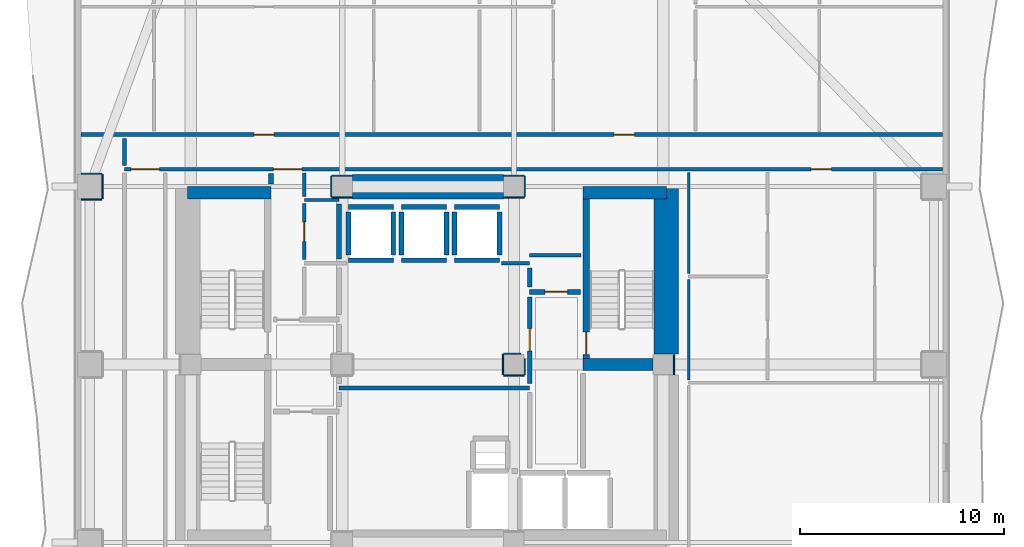
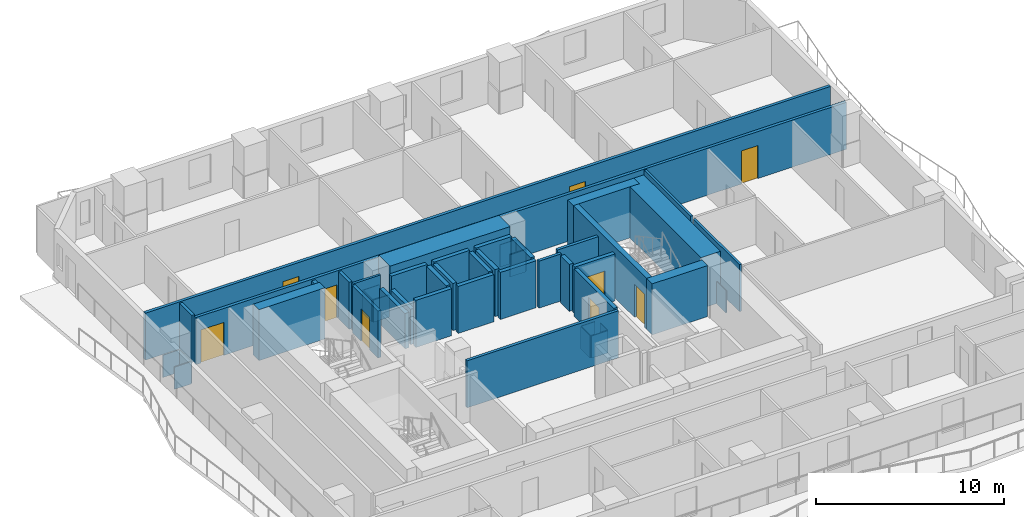
# One storey, part 4 of 11: 48 walls, 9 doors, 9 openings.
"""IFC4 building model written with IfcOpenShell, lengths in metres."""

from ifc_helpers import new_model, si_unit, direction, frame, frame_2d, origin, place, context, subcontext, project, spatial, rectangle, extrude, material, layer, layer_set, type_object, element, fill, save


model = new_model("IFC4")

# Units and contexts
model_context = context("Model", 3, precision=1e-05, world=origin(), true_north=direction((0.0, 1.0)))
body_context = subcontext(model_context, "Body", "Model", "MODEL_VIEW")
ifc_project = project(units=[si_unit("LENGTHUNIT", "METRE"), si_unit("AREAUNIT", "SQUARE_METRE"), si_unit("VOLUMEUNIT", "CUBIC_METRE"), si_unit("PLANEANGLEUNIT", "RADIAN"), si_unit("MASSUNIT", "GRAM", prefix="KILO")], contexts=[model_context])

# Site, building, storey
site_placement = place(None, origin())
site = spatial("IfcSite", under=ifc_project, at=site_placement, CompositionType="ELEMENT")
building_placement = place(site_placement, origin())
building = spatial("IfcBuilding", under=site, at=building_placement, Name="Solanera Arch Residences", CompositionType="ELEMENT")
storey_placement = place(building_placement, frame((0.0, 0.0, 71.800048828125)))
storey = spatial("IfcBuildingStorey", under=building, at=storey_placement, Name="L20", CompositionType="ELEMENT", Elevation=71.800048828125)

# Walls
ifc_material_1 = material(Name="Fire-Rated Gypsum Stud Partition", Category="gypsum")
ifc_layer_1 = layer(ifc_material_1, 0.06005859375)
ifc_layer_set_1 = layer_set([ifc_layer_1], Name="Fire-Rated Gypsum Stud Partition")
wall_type_1 = type_object("IfcWallType", Name="Column Acoustic Furring Wall 60", PredefinedType="PARTITIONING", material=ifc_layer_set_1)
for number, where, z_axis, x_axis, name in (
    (1, (20.300048828125, 38.867919921875, 0.0), (0.0, 0.0, 1.0), (1.0, 0.0, 0.0), "L20 Column Furring 3S"),
    (2, (20.300048828125, 39.931884765625, 0.0), (0.0, 0.0, 1.0), (1.0, 0.0, 0.0), "L20 Column Furring 3N"),
):
    element("IfcWall", number, at=place(storey_placement, frame(where, z_axis=z_axis, x_axis=x_axis)), inside=storey, type_object=wall_type_1, Name=name, PredefinedType="PARTITIONING", context=body_context, shape_type="SweptSolid", body=[
        extrude(rectangle(XDim=0.989990234375, YDim=0.06005859375, at=frame_2d((0.4951171875, 0.0))), origin(), (0.0, 0.0, 1.0), 1.449951171875),
    ])
wall_1_placement = place(storey_placement, frame((20.26806640625, 38.89990234375, 0.0), z_axis=(0.0, 0.0, 1.0), x_axis=(0.0, 1.0, 0.0)))
element("IfcWall", 3, at=wall_1_placement, inside=storey, type_object=wall_type_1, Name="L20 Column Furring 3W", PredefinedType="PARTITIONING", context=body_context, shape_type="SweptSolid", body=[
    extrude(rectangle(XDim=1.0, YDim=0.06005859375, at=frame_2d((0.5, 0.0))), origin(), (0.0, 0.0, 1.0), 1.449951171875),
])
for number, where, z_axis, x_axis, name in (
    (4, (28.7099609375, 38.867919921875, 0.0), (0.0, 0.0, 1.0), (1.0, 0.0, 0.0), "L20 Column Furring 4S"),
    (5, (28.7099609375, 39.931884765625, 0.0), (0.0, 0.0, 1.0), (1.0, 0.0, 0.0), "L20 Column Furring 4N"),
):
    element("IfcWall", number, at=place(storey_placement, frame(where, z_axis=z_axis, x_axis=x_axis)), inside=storey, type_object=wall_type_1, Name=name, PredefinedType="PARTITIONING", context=body_context, shape_type="SweptSolid", body=[
        extrude(rectangle(XDim=0.989990234375, YDim=0.06005859375, at=frame_2d((0.4951171875, 0.0))), origin(), (0.0, 0.0, 1.0), 1.449951171875),
    ])
wall_2_placement = place(storey_placement, frame((29.73193359375, 38.89990234375, 0.0), z_axis=(0.0, 0.0, 1.0), x_axis=(0.0, 1.0, 0.0)))
element("IfcWall", 6, at=wall_2_placement, inside=storey, type_object=wall_type_1, Name="L20 Column Furring 4E", PredefinedType="PARTITIONING", context=body_context, shape_type="SweptSolid", body=[
    extrude(rectangle(XDim=1.0, YDim=0.06005859375, at=frame_2d((0.5, 0.0))), origin(), (0.0, 0.0, 1.0), 1.449951171875),
])
wall_3_placement = place(storey_placement, frame((37.031982421875, 30.2099609375, 0.0), z_axis=(0.0, 0.0, 1.0), x_axis=(0.0, 1.0, 0.0)))
element("IfcWall", 7, at=wall_3_placement, inside=storey, type_object=wall_type_1, Name="L20 Column Furring 6E", PredefinedType="PARTITIONING", context=body_context, shape_type="SweptSolid", body=[
    extrude(rectangle(XDim=0.97998046875, YDim=0.06005859375, at=frame_2d((0.489990234375, 0.0))), origin(), (0.0, 0.0, 1.0), 1.449951171875),
])
wall_4_placement = place(storey_placement, frame((28.699951171875, 30.16796875, 0.0), z_axis=(0.0, 0.0, 1.0), x_axis=(1.0, 0.0, 0.0)))
element("IfcWall", 8, at=wall_4_placement, inside=storey, type_object=wall_type_1, Name="L20 Column Furring 8S", PredefinedType="PARTITIONING", context=body_context, shape_type="SweptSolid", body=[
    extrude(rectangle(XDim=1.0, YDim=0.06005859375, at=frame_2d((0.5, 0.0))), origin(), (0.0, 0.0, 1.0), 1.449951171875),
])
wall_5_placement = place(storey_placement, frame((28.699951171875, 31.23193359375, 0.0), z_axis=(0.0, 0.0, 1.0), x_axis=(1.0, 0.0, 0.0)))
element("IfcWall", 9, at=wall_5_placement, inside=storey, type_object=wall_type_1, Name="L20 Column Furring 8N", PredefinedType="PARTITIONING", context=body_context, shape_type="SweptSolid", body=[
    extrude(rectangle(XDim=0.841064453125, YDim=0.06005859375, at=frame_2d((0.42041015625, 0.0))), origin(), (0.0, 0.0, 1.0), 1.449951171875),
])
wall_6_placement = place(storey_placement, frame((28.66796875, 30.199951171875, 0.0), z_axis=(0.0, 0.0, 1.0), x_axis=(0.0, 1.0, 0.0)))
element("IfcWall", 10, at=wall_6_placement, inside=storey, type_object=wall_type_1, Name="L20 Column Furring 8W", PredefinedType="PARTITIONING", context=body_context, shape_type="SweptSolid", body=[
    extrude(rectangle(XDim=1.0, YDim=0.06005859375, at=frame_2d((0.5, 0.0))), origin(), (0.0, 0.0, 1.0), 1.449951171875),
])
wall_7_placement = place(storey_placement, frame((29.73193359375, 30.199951171875, 0.0), z_axis=(0.0, 0.0, 1.0), x_axis=(0.0, 1.0, 0.0)))
element("IfcWall", 11, at=wall_7_placement, inside=storey, type_object=wall_type_1, Name="L20 Column Furring 8E", PredefinedType="PARTITIONING", context=body_context, shape_type="SweptSolid", body=[
    extrude(rectangle(XDim=0.77197265625, YDim=0.06005859375, at=frame_2d((0.385986328125, 0.0))), origin(), (0.0, 0.0, 1.0), 1.449951171875),
])
for number, where, z_axis, x_axis, name in (
    (12, (8.030029296875, 38.76806640625, 0.0), (0.0, 0.0, 1.0), (1.0, 0.0, 0.0), "L20 Column Furring 21S"),
    (13, (8.030029296875, 40.031982421875, 0.0), (0.0, 0.0, 1.0), (1.0, 0.0, 0.0), "L20 Column Furring 21N"),
):
    element("IfcWall", number, at=place(storey_placement, frame(where, z_axis=z_axis, x_axis=x_axis)), inside=storey, type_object=wall_type_1, Name=name, PredefinedType="PARTITIONING", context=body_context, shape_type="SweptSolid", body=[
        extrude(rectangle(XDim=1.02001953125, YDim=0.06005859375, at=frame_2d((0.510009765625, 0.0))), origin(), (0.0, 0.0, 1.0), 1.449951171875),
    ])
wall_8_placement = place(storey_placement, frame((9.08203125, 38.800048828125, 0.0), z_axis=(0.0, 0.0, 1.0), x_axis=(0.0, 1.0, 0.0)))
element("IfcWall", 14, at=wall_8_placement, inside=storey, type_object=wall_type_1, Name="L20 Column Furring 21E", PredefinedType="PARTITIONING", context=body_context, shape_type="SweptSolid", body=[
    extrude(rectangle(XDim=1.199951171875, YDim=0.06005859375, at=frame_2d((0.60009765625, 0.0))), origin(), (0.0, 0.0, 1.0), 1.449951171875),
])
ifc_material_2 = material(Name="Concrete C55/67 (f'c = 60 MPa)", Category="concrete")
ifc_layer_2 = layer(ifc_material_2, 1.199951171875)
ifc_layer_set_2 = layer_set([ifc_layer_2], Name="Concrete C55/67 (f'c = 60 MPa)")
wall_type_2 = type_object("IfcWallType", Name="Core Shear Wall CW-1200", PredefinedType="SHEAR", material=ifc_layer_set_2)
wall_9_placement = place(storey_placement, frame((36.659912109375, 31.205078125, 0.0), z_axis=(0.0, 0.0, 1.0), x_axis=(0.0, 1.0, 0.0)))
element("IfcWall", 15, at=wall_9_placement, inside=storey, type_object=wall_type_2, Name="L20 East Core North Shear Wall", PredefinedType="SHEAR", context=body_context, shape_type="SweptSolid", body=[
    extrude(rectangle(XDim=8.19482421875, YDim=1.199951171875, at=frame_2d((4.097412109375, 0.0))), origin(), (0.0, 0.0, 1.0), 3.320068359375),
])
wall_10_placement = place(storey_placement, frame((21.304931640625, 39.39990234375, 0.0), z_axis=(0.0, 0.0, 1.0), x_axis=(1.0, 0.0, 0.0)))
element("IfcWall", 16, at=wall_10_placement, inside=storey, type_object=wall_type_2, Name="L20 Central North Core Shear Wall", PredefinedType="SHEAR", context=body_context, shape_type="SweptSolid", body=[
    extrude(rectangle(XDim=7.39013671875, YDim=1.199951171875, at=frame_2d((3.695068359375, 0.0))), origin(), (0.0, 0.0, 1.0), 3.320068359375),
])

# Wall, opening, door
ifc_material_3 = material(Name="Concrete C40/50 (f'c = 45 MPa)", Category="concrete")
ifc_layer_3 = layer(ifc_material_3, 0.320068359375)
ifc_layer_set_3 = layer_set([ifc_layer_3], Name="Concrete C40/50 (f'c = 45 MPa)")
wall_type_3 = type_object("IfcWallType", Name="Core Shear Wall CW-320", PredefinedType="SHEAR", material=ifc_layer_set_3)
wall_11_placement = place(storey_placement, frame((32.739990234375, 31.0, 0.0), z_axis=(0.0, 0.0, 1.0), x_axis=(0.0, 1.0, 0.0)))
wall_11 = element("IfcWall", 17, at=wall_11_placement, inside=storey, type_object=wall_type_3, Name="L20 Stair ST-T2 West Shear Wall", PredefinedType="SHEAR", context=body_context, shape_type="SweptSolid", body=[
    extrude(rectangle(XDim=7.800048828125, YDim=0.320068359375, at=frame_2d((3.89990234375, 0.0))), origin(), (0.0, 0.0, 1.0), 3.320068359375),
])
opening_1_placement = place(wall_11_placement, frame((0.18994140625, 0.0, 0.0)))
opening_1 = element("IfcOpeningElement", 18, at=opening_1_placement, cuts=wall_11, Name="Opening DF-01", PredefinedType="OPENING", context=body_context, shape_type="SweptSolid", body=[
    extrude(rectangle(XDim=1.10009765625, YDim=2.14990234375, at=frame_2d((0.550048828125, 1.074951171875))), frame((0.0, 0.169921875, 0.0), z_axis=(0.0, -1.0, 0.0), x_axis=(1.0, 0.0, 0.0)), (0.0, 0.0, 1.0), 0.3401),
])
ifc_material_4 = material(Name="Fire-Rated Architectural Hardwood", Category="wood")
door_type_1 = type_object("IfcDoorType", Name="Stair Exit Fire Door DF-01", OperationType="NOTDEFINED", PredefinedType="DOOR", material=ifc_material_4)
door_1_placement = place(opening_1_placement, origin())
door_1 = element("IfcDoor", 19, at=door_1_placement, inside=storey, type_object=door_type_1, Name="DR-L20-STAIR-ST-T2", OperationType="SINGLE_SWING_RIGHT", OverallHeight=2.14990234375, OverallWidth=1.10009765625, PredefinedType="DOOR", context=body_context, shape_type="SweptSolid", body=[
    extrude(rectangle(XDim=1.10009765625, YDim=2.14990234375, at=frame_2d((0.550048828125, 1.074951171875))), frame((0.0, 0.02490234375, 0.0), z_axis=(0.0, -1.0, 0.0), x_axis=(1.0, 0.0, 0.0)), (0.0, 0.0, 1.0), 0.050048828125),
])
fill(opening_1, door_1)

# Walls
ifc_material_5 = material(Name="Concrete C40/50 (f'c = 45 MPa)", Category="concrete")
ifc_layer_4 = layer(ifc_material_5, 0.60009765625)
ifc_layer_set_4 = layer_set([ifc_layer_4], Name="Concrete C40/50 (f'c = 45 MPa)")
wall_type_4 = type_object("IfcWallType", Name="Core Shear Wall CW-600", PredefinedType="SHEAR", material=ifc_layer_set_4)
wall_12_placement = place(storey_placement, frame((13.239990234375, 39.10009765625, 0.0), z_axis=(0.0, 0.0, 1.0), x_axis=(1.0, 0.0, 0.0)))
element("IfcWall", 20, at=wall_12_placement, inside=storey, type_object=wall_type_4, Name="L20 North-West Core Shear Wall", PredefinedType="SHEAR", context=body_context, shape_type="SweptSolid", body=[
    extrude(rectangle(XDim=4.080078125, YDim=0.60009765625, at=frame_2d((2.0400390625, 0.0))), origin(), (0.0, 0.0, 1.0), 3.320068359375),
])
wall_13_placement = place(storey_placement, frame((32.580078125, 39.10009765625, 0.0), z_axis=(0.0, 0.0, 1.0), x_axis=(1.0, 0.0, 0.0)))
element("IfcWall", 21, at=wall_13_placement, inside=storey, type_object=wall_type_4, Name="L20 North-East Core Shear Wall", PredefinedType="SHEAR", context=body_context, shape_type="SweptSolid", body=[
    extrude(rectangle(XDim=4.079833984375, YDim=0.60009765625, at=frame_2d((2.0400390625, 0.0))), origin(), (0.0, 0.0, 1.0), 3.320068359375),
])
wall_14_placement = place(storey_placement, frame((32.580078125, 30.699951171875, 0.0), z_axis=(0.0, 0.0, 1.0), x_axis=(1.0, 0.0, 0.0)))
element("IfcWall", 22, at=wall_14_placement, inside=storey, type_object=wall_type_4, Name="L20 East Stair Far-Landing Shear Wall", PredefinedType="SHEAR", context=body_context, shape_type="SweptSolid", body=[
    extrude(rectangle(XDim=3.4150390625, YDim=0.60009765625, at=frame_2d((1.70751953125, 0.0))), origin(), (0.0, 0.0, 1.0), 3.320068359375),
])
ifc_material_6 = material(Name="Autoclaved Aerated Concrete Blockwork", Category="masonry")
ifc_layer_5 = layer(ifc_material_6, 0.179931640625)
ifc_layer_set_5 = layer_set([ifc_layer_5], Name="Autoclaved Aerated Concrete Blockwork")
wall_type_5 = type_object("IfcWallType", Name="Corridor Fire Partition 180", PredefinedType="PARTITIONING", material=ifc_layer_set_5)
wall_15_placement = place(storey_placement, frame((20.64990234375, 29.550048828125, 0.0), z_axis=(0.0, 0.0, 1.0), x_axis=(1.0, 0.0, 0.0)))
element("IfcWall", 23, at=wall_15_placement, inside=storey, type_object=wall_type_5, Name="L20 Interior Partition H7", PredefinedType="PARTITIONING", context=body_context, shape_type="SweptSolid", body=[
    extrude(rectangle(XDim=9.3251953125, YDim=0.179931640625, at=frame_2d((4.66259765625, 0.0))), origin(), (0.0, 0.0, 1.0), 3.06005859375),
])
wall_16_placement = place(storey_placement, frame((28.593017578125, 35.64990234375, 0.0), z_axis=(0.0, 0.0, 1.0), x_axis=(1.0, 0.0, 0.0)))
element("IfcWall", 24, at=wall_16_placement, inside=storey, type_object=wall_type_5, Name="L20 Interior Partition H8 2", PredefinedType="PARTITIONING", context=body_context, shape_type="SweptSolid", body=[
    extrude(rectangle(XDim=1.382080078125, YDim=0.179931640625, at=frame_2d((0.69091796875, 0.0))), origin(), (0.0, 0.0, 1.0), 3.06005859375),
])
wall_17_placement = place(storey_placement, frame((29.97509765625, 36.050048828125, 0.0), z_axis=(0.0, 0.0, 1.0), x_axis=(1.0, 0.0, 0.0)))
element("IfcWall", 25, at=wall_17_placement, inside=storey, type_object=wall_type_5, Name="L20 Interior Partition H9", PredefinedType="PARTITIONING", context=body_context, shape_type="SweptSolid", body=[
    extrude(rectangle(XDim=2.5048828125, YDim=0.179931640625, at=frame_2d((1.25244140625, 0.0))), origin(), (0.0, 0.0, 1.0), 3.06005859375),
])

# Wall, openings, doors
wall_18_placement = place(storey_placement, frame((10.14990234375, 40.25, 0.0), z_axis=(0.0, 0.0, 1.0), x_axis=(1.0, 0.0, 0.0)))
wall_18 = element("IfcWall", 26, at=wall_18_placement, inside=storey, type_object=wall_type_5, Name="L20 Interior Partition H10", PredefinedType="PARTITIONING", context=body_context, shape_type="SweptSolid", body=[
    extrude(rectangle(XDim=40.023193359375, YDim=0.179931640625, at=frame_2d((20.01171875, 0.0))), origin(), (0.0, 0.0, 1.0), 3.06005859375),
])
opening_2_placement = place(wall_18_placement, frame((7.284912109375, 0.0, 0.0)))
opening_2 = element("IfcOpeningElement", 27, at=opening_2_placement, cuts=wall_18, Name="Opening DF-03", PredefinedType="OPENING", context=body_context, shape_type="SweptSolid", body=[
    extrude(rectangle(XDim=1.39990234375, YDim=2.14990234375, at=frame_2d((0.699951171875, 1.074951171875))), frame((0.0, 0.10009765625, 0.0), z_axis=(0.0, -1.0, 0.0), x_axis=(1.0, 0.0, 0.0)), (0.0, 0.0, 1.0), 0.1999),
])
opening_3_placement = place(wall_18_placement, frame((0.323974609375, 0.0, 0.0)))
opening_3 = element("IfcOpeningElement", 28, at=opening_3_placement, cuts=wall_18, Name="Opening DF-03", PredefinedType="OPENING", context=body_context, shape_type="SweptSolid", body=[
    extrude(rectangle(XDim=1.39990234375, YDim=2.14990234375, at=frame_2d((0.699951171875, 1.074951171875))), frame((0.0, 0.10009765625, 0.0), z_axis=(0.0, -1.0, 0.0), x_axis=(1.0, 0.0, 0.0)), (0.0, 0.0, 1.0), 0.1999),
])
opening_4_placement = place(wall_18_placement, frame((33.573974609375, 0.0, 0.0)))
opening_4 = element("IfcOpeningElement", 29, at=opening_4_placement, cuts=wall_18, Name="Opening DI-01", PredefinedType="OPENING", context=body_context, shape_type="SweptSolid", body=[
    extrude(rectangle(XDim=1.0, YDim=2.14990234375, at=frame_2d((0.5, 1.074951171875))), frame((0.0, 0.10009765625, 0.0), z_axis=(0.0, -1.0, 0.0), x_axis=(1.0, 0.0, 0.0)), (0.0, 0.0, 1.0), 0.1999),
])
ifc_material_7 = material(Name="Fire-Rated Architectural Hardwood", Category="wood")
door_type_2 = type_object("IfcDoorType", Name="Corridor Smoke Door DF-03", OperationType="NOTDEFINED", PredefinedType="DOOR", material=ifc_material_7)
door_2_placement = place(opening_2_placement, origin())
door_2 = element("IfcDoor", 30, at=door_2_placement, inside=storey, type_object=door_type_2, Name="DR-L20-IN-009", OperationType="SINGLE_SWING_LEFT", OverallHeight=2.14990234375, OverallWidth=1.39990234375, PredefinedType="DOOR", context=body_context, shape_type="SweptSolid", body=[
    extrude(rectangle(XDim=1.39990234375, YDim=2.14990234375, at=frame_2d((0.699951171875, 1.074951171875))), frame((0.0, 0.02490234375, 0.0), z_axis=(0.0, -1.0, 0.0), x_axis=(1.0, 0.0, 0.0)), (0.0, 0.0, 1.0), 0.050048828125),
])
fill(opening_2, door_2)
door_3_placement = place(opening_3_placement, origin())
door_3 = element("IfcDoor", 31, at=door_3_placement, inside=storey, type_object=door_type_2, Name="DR-L20-IN-011", OperationType="SINGLE_SWING_LEFT", OverallHeight=2.14990234375, OverallWidth=1.39990234375, PredefinedType="DOOR", context=body_context, shape_type="SweptSolid", body=[
    extrude(rectangle(XDim=1.39990234375, YDim=2.14990234375, at=frame_2d((0.699951171875, 1.074951171875))), frame((0.0, 0.02490234375, 0.0), z_axis=(0.0, -1.0, 0.0), x_axis=(1.0, 0.0, 0.0)), (0.0, 0.0, 1.0), 0.050048828125),
])
fill(opening_3, door_3)
ifc_material_8 = material(Name="Fire-Rated Architectural Hardwood", Category="wood")
door_type_3 = type_object("IfcDoorType", Name="Unit Entrance Fire Door DI-01", OperationType="NOTDEFINED", PredefinedType="DOOR", material=ifc_material_8)
door_4_placement = place(opening_4_placement, origin())
door_4 = element("IfcDoor", 32, at=door_4_placement, inside=storey, type_object=door_type_3, Name="DR-L20-IN-039", OperationType="SINGLE_SWING_LEFT", OverallHeight=2.14990234375, OverallWidth=1.0, PredefinedType="DOOR", context=body_context, shape_type="SweptSolid", body=[
    extrude(rectangle(XDim=1.0, YDim=2.14990234375, at=frame_2d((0.5, 1.074951171875))), frame((0.0, 0.02490234375, 0.0), z_axis=(0.0, -1.0, 0.0), x_axis=(1.0, 0.0, 0.0)), (0.0, 0.0, 1.0), 0.050048828125),
])
fill(opening_4, door_4)

wall_19_placement = place(storey_placement, frame((8.027099609375, 41.949951171875, 0.0), z_axis=(0.0, 0.0, 1.0), x_axis=(1.0, 0.0, 0.0)))
wall_19 = element("IfcWall", 33, at=wall_19_placement, inside=storey, type_object=wall_type_5, Name="L20 Interior Partition H11", PredefinedType="PARTITIONING", context=body_context, shape_type="SweptSolid", body=[
    extrude(rectangle(XDim=42.14599609375, YDim=0.179931640625, at=frame_2d((21.072998046875, 0.0))), origin(), (0.0, 0.0, 1.0), 3.06005859375),
])
opening_5_placement = place(wall_19_placement, frame((8.450927734375, 0.0, 0.0)))
opening_5 = element("IfcOpeningElement", 34, at=opening_5_placement, cuts=wall_19, Name="Opening DI-01", PredefinedType="OPENING", context=body_context, shape_type="SweptSolid", body=[
    extrude(rectangle(XDim=1.0, YDim=2.14990234375, at=frame_2d((0.5, 1.074951171875))), frame((0.0, 0.10009765625, 0.0), z_axis=(0.0, -1.0, 0.0), x_axis=(1.0, 0.0, 0.0)), (0.0, 0.0, 1.0), 0.1999),
])
opening_6_placement = place(wall_19_placement, frame((26.074951171875, 0.0, 0.0)))
opening_6 = element("IfcOpeningElement", 35, at=opening_6_placement, cuts=wall_19, Name="Opening DI-01", PredefinedType="OPENING", context=body_context, shape_type="SweptSolid", body=[
    extrude(rectangle(XDim=1.0, YDim=2.14990234375, at=frame_2d((0.5, 1.074951171875))), frame((0.0, 0.10009765625, 0.0), z_axis=(0.0, -1.0, 0.0), x_axis=(1.0, 0.0, 0.0)), (0.0, 0.0, 1.0), 0.1999),
])
door_5_placement = place(opening_5_placement, origin())
door_5 = element("IfcDoor", 36, at=door_5_placement, inside=storey, type_object=door_type_3, Name="DR-L20-IN-025", OperationType="SINGLE_SWING_LEFT", OverallHeight=2.14990234375, OverallWidth=1.0, PredefinedType="DOOR", context=body_context, shape_type="SweptSolid", body=[
    extrude(rectangle(XDim=1.0, YDim=2.14990234375, at=frame_2d((0.5, 1.074951171875))), frame((0.0, 0.02490234375, 0.0), z_axis=(0.0, -1.0, 0.0), x_axis=(1.0, 0.0, 0.0)), (0.0, 0.0, 1.0), 0.050048828125),
])
fill(opening_5, door_5)
door_6_placement = place(opening_6_placement, origin())
door_6 = element("IfcDoor", 37, at=door_6_placement, inside=storey, type_object=door_type_3, Name="DR-L20-IN-031", OperationType="SINGLE_SWING_LEFT", OverallHeight=2.14990234375, OverallWidth=1.0, PredefinedType="DOOR", context=body_context, shape_type="SweptSolid", body=[
    extrude(rectangle(XDim=1.0, YDim=2.14990234375, at=frame_2d((0.5, 1.074951171875))), frame((0.0, 0.02490234375, 0.0), z_axis=(0.0, -1.0, 0.0), x_axis=(1.0, 0.0, 0.0)), (0.0, 0.0, 1.0), 0.050048828125),
])
fill(opening_6, door_6)

# Wall
wall_20_placement = place(storey_placement, frame((10.14990234375, 40.43798828125, 0.0), z_axis=(0.0, 0.0, 1.0), x_axis=(0.0, 1.0, 0.0)))
element("IfcWall", 38, at=wall_20_placement, inside=storey, type_object=wall_type_5, Name="L20 Interior Partition V6 3", PredefinedType="PARTITIONING", context=body_context, shape_type="SweptSolid", body=[
    extrude(rectangle(XDim=1.323974609375, YDim=0.179931640625, at=frame_2d((0.662109375, 0.0))), origin(), (0.0, 0.0, 1.0), 3.06005859375),
])

# Wall, opening, door
wall_21_placement = place(storey_placement, frame((18.949951171875, 35.837890625, 0.0), z_axis=(0.0, 0.0, 1.0), x_axis=(0.0, 1.0, 0.0)))
wall_21 = element("IfcWall", 39, at=wall_21_placement, inside=storey, type_object=wall_type_5, Name="L20 Interior Partition V8 2", PredefinedType="PARTITIONING", context=body_context, shape_type="SweptSolid", body=[
    extrude(rectangle(XDim=2.744140625, YDim=0.179931640625, at=frame_2d((1.3720703125, 0.0))), origin(), (0.0, 0.0, 1.0), 3.06005859375),
])
opening_7_placement = place(wall_21_placement, frame((0.886962890625, 0.0, 0.0)))
opening_7 = element("IfcOpeningElement", 40, at=opening_7_placement, cuts=wall_21, Name="Opening DI-04", PredefinedType="OPENING", context=body_context, shape_type="SweptSolid", body=[
    extrude(rectangle(XDim=0.949951171875, YDim=2.10009765625, at=frame_2d((0.47509765625, 1.050048828125))), frame((0.0, 0.10009765625, 0.0), z_axis=(0.0, -1.0, 0.0), x_axis=(1.0, 0.0, 0.0)), (0.0, 0.0, 1.0), 0.1999),
])
ifc_material_9 = material(Name="Fire-Rated Architectural Hardwood", Category="wood")
door_type_4 = type_object("IfcDoorType", Name="Accessible Restroom Door DI-04", OperationType="NOTDEFINED", PredefinedType="DOOR", material=ifc_material_9)
door_7_placement = place(opening_7_placement, origin())
door_7 = element("IfcDoor", 41, at=door_7_placement, inside=storey, type_object=door_type_4, Name="DR-L20-IN-012", OperationType="SINGLE_SWING_RIGHT", OverallHeight=2.10009765625, OverallWidth=0.949951171875, PredefinedType="DOOR", context=body_context, shape_type="SweptSolid", body=[
    extrude(rectangle(XDim=0.949951171875, YDim=2.10009765625, at=frame_2d((0.47509765625, 1.050048828125))), frame((0.0, 0.02490234375, 0.0), z_axis=(0.0, -1.0, 0.0), x_axis=(1.0, 0.0, 0.0)), (0.0, 0.0, 1.0), 0.050048828125),
])
fill(opening_7, door_7)

# Walls
wall_22_placement = place(storey_placement, frame((18.949951171875, 38.91796875, 0.0), z_axis=(0.0, 0.0, 1.0), x_axis=(0.0, 1.0, 0.0)))
element("IfcWall", 42, at=wall_22_placement, inside=storey, type_object=wall_type_5, Name="L20 Interior Partition V8 3", PredefinedType="PARTITIONING", context=body_context, shape_type="SweptSolid", body=[
    extrude(rectangle(XDim=1.14404296875, YDim=0.179931640625, at=frame_2d((0.572021484375, 0.0))), origin(), (0.0, 0.0, 1.0), 3.06005859375),
])
ifc_material_10 = material(Name="Autoclaved Aerated Concrete Blockwork", Category="masonry")
ifc_layer_6 = layer(ifc_material_10, 0.239990234375)
ifc_layer_set_6 = layer_set([ifc_layer_6], Name="Autoclaved Aerated Concrete Blockwork")
wall_type_6 = type_object("IfcWallType", Name="Shaft Wall Fire-Rated 240", PredefinedType="PARTITIONING", material=ifc_layer_set_6)
for number, where, z_axis, x_axis, name in (
    (43, (21.10009765625, 35.800048828125, 0.0), (0.0, 0.0, 1.0), (1.0, 0.0, 0.0), "L20 Lift PL-L1 Hoistway Wall S"),
    (44, (21.10009765625, 38.39990234375, 0.0), (0.0, 0.0, 1.0), (1.0, 0.0, 0.0), "L20 Lift PL-L1 Hoistway Wall N"),
):
    element("IfcWall", number, at=place(storey_placement, frame(where, z_axis=z_axis, x_axis=x_axis)), inside=storey, type_object=wall_type_6, Name=name, PredefinedType="PARTITIONING", context=body_context, shape_type="SweptSolid", body=[
        extrude(rectangle(XDim=2.199951171875, YDim=0.239990234375, at=frame_2d((1.10009765625, 0.0))), origin(), (0.0, 0.0, 1.0), 3.06005859375),
    ])
wall_23_placement = place(storey_placement, frame((21.10009765625, 36.048095703125, 0.0), z_axis=(0.0, 0.0, 1.0), x_axis=(0.0, 1.0, 0.0)))
element("IfcWall", 45, at=wall_23_placement, inside=storey, type_object=wall_type_6, Name="L20 Lift PL-L1 Hoistway Wall W", PredefinedType="PARTITIONING", context=body_context, shape_type="SweptSolid", body=[
    extrude(rectangle(XDim=2.10400390625, YDim=0.239990234375, at=frame_2d((1.052001953125, 0.0))), origin(), (0.0, 0.0, 1.0), 2.294921875),
])
wall_24_placement = place(storey_placement, frame((23.300048828125, 36.048095703125, 0.0), z_axis=(0.0, 0.0, 1.0), x_axis=(0.0, 1.0, 0.0)))
element("IfcWall", 46, at=wall_24_placement, inside=storey, type_object=wall_type_6, Name="L20 Lift PL-L1 Hoistway Wall E", PredefinedType="PARTITIONING", context=body_context, shape_type="SweptSolid", body=[
    extrude(rectangle(XDim=2.10400390625, YDim=0.239990234375, at=frame_2d((1.052001953125, 0.0))), origin(), (0.0, 0.0, 1.0), 3.06005859375),
])
for number, where, z_axis, x_axis, name in (
    (47, (23.699951171875, 35.800048828125, 0.0), (0.0, 0.0, 1.0), (1.0, 0.0, 0.0), "L20 Lift PL-L2 Hoistway Wall S"),
    (48, (23.699951171875, 38.39990234375, 0.0), (0.0, 0.0, 1.0), (1.0, 0.0, 0.0), "L20 Lift PL-L2 Hoistway Wall N"),
):
    element("IfcWall", number, at=place(storey_placement, frame(where, z_axis=z_axis, x_axis=x_axis)), inside=storey, type_object=wall_type_6, Name=name, PredefinedType="PARTITIONING", context=body_context, shape_type="SweptSolid", body=[
        extrude(rectangle(XDim=2.199951171875, YDim=0.239990234375, at=frame_2d((1.10009765625, 0.0))), origin(), (0.0, 0.0, 1.0), 3.06005859375),
    ])
for number, where, z_axis, x_axis, name in (
    (49, (23.699951171875, 36.048095703125, 0.0), (0.0, 0.0, 1.0), (0.0, 1.0, 0.0), "L20 Lift PL-L2 Hoistway Wall W"),
    (50, (25.89990234375, 36.048095703125, 0.0), (0.0, 0.0, 1.0), (0.0, 1.0, 0.0), "L20 Lift PL-L2 Hoistway Wall E"),
):
    element("IfcWall", number, at=place(storey_placement, frame(where, z_axis=z_axis, x_axis=x_axis)), inside=storey, type_object=wall_type_6, Name=name, PredefinedType="PARTITIONING", context=body_context, shape_type="SweptSolid", body=[
        extrude(rectangle(XDim=2.10400390625, YDim=0.239990234375, at=frame_2d((1.052001953125, 0.0))), origin(), (0.0, 0.0, 1.0), 3.06005859375),
    ])
for number, where, z_axis, x_axis, name in (
    (51, (26.300048828125, 35.800048828125, 0.0), (0.0, 0.0, 1.0), (1.0, 0.0, 0.0), "L20 Lift PL-L3 Hoistway Wall S"),
    (52, (26.300048828125, 38.39990234375, 0.0), (0.0, 0.0, 1.0), (1.0, 0.0, 0.0), "L20 Lift PL-L3 Hoistway Wall N"),
):
    element("IfcWall", number, at=place(storey_placement, frame(where, z_axis=z_axis, x_axis=x_axis)), inside=storey, type_object=wall_type_6, Name=name, PredefinedType="PARTITIONING", context=body_context, shape_type="SweptSolid", body=[
        extrude(rectangle(XDim=2.199951171875, YDim=0.239990234375, at=frame_2d((1.10009765625, 0.0))), origin(), (0.0, 0.0, 1.0), 3.06005859375),
    ])
for number, where, z_axis, x_axis, name in (
    (53, (26.300048828125, 36.048095703125, 0.0), (0.0, 0.0, 1.0), (0.0, 1.0, 0.0), "L20 Lift PL-L3 Hoistway Wall W"),
    (54, (28.5, 36.048095703125, 0.0), (0.0, 0.0, 1.0), (0.0, 1.0, 0.0), "L20 Lift PL-L3 Hoistway Wall E"),
):
    element("IfcWall", number, at=place(storey_placement, frame(where, z_axis=z_axis, x_axis=x_axis)), inside=storey, type_object=wall_type_6, Name=name, PredefinedType="PARTITIONING", context=body_context, shape_type="SweptSolid", body=[
        extrude(rectangle(XDim=2.10400390625, YDim=0.239990234375, at=frame_2d((1.052001953125, 0.0))), origin(), (0.0, 0.0, 1.0), 3.06005859375),
    ])

# Wall, opening, door
wall_25_placement = place(storey_placement, frame((29.97509765625, 34.25, 0.0), z_axis=(0.0, 0.0, 1.0), x_axis=(1.0, 0.0, 0.0)))
wall_25 = element("IfcWall", 55, at=wall_25_placement, inside=storey, type_object=wall_type_6, Name="L20 Interior Partition H5", PredefinedType="PARTITIONING", context=body_context, shape_type="SweptSolid", body=[
    extrude(rectangle(XDim=2.474853515625, YDim=0.239990234375, at=frame_2d((1.2373046875, 0.0))), origin(), (0.0, 0.0, 1.0), 3.06005859375),
])
opening_8_placement = place(wall_25_placement, frame((0.751953125, 0.0, 0.0)))
opening_8 = element("IfcOpeningElement", 56, at=opening_8_placement, cuts=wall_25, Name="Opening DF-02", PredefinedType="OPENING", context=body_context, shape_type="SweptSolid", body=[
    extrude(rectangle(XDim=1.10009765625, YDim=2.14990234375, at=frame_2d((0.550048828125, 1.074951171875))), frame((0.0, 0.1298828125, 0.0), z_axis=(0.0, -1.0, 0.0), x_axis=(1.0, 0.0, 0.0)), (0.0, 0.0, 1.0), 0.26),
])
ifc_material_11 = material(Name="Fire-Rated Architectural Hardwood", Category="wood")
door_type_5 = type_object("IfcDoorType", Name="Firefighting Lobby Fire Door DF-02", OperationType="NOTDEFINED", PredefinedType="DOOR", material=ifc_material_11)
door_8_placement = place(opening_8_placement, origin())
door_8 = element("IfcDoor", 57, at=door_8_placement, inside=storey, type_object=door_type_5, Name="DR-L20-IN-007", OperationType="SINGLE_SWING_LEFT", OverallHeight=2.14990234375, OverallWidth=1.10009765625, PredefinedType="DOOR", context=body_context, shape_type="SweptSolid", body=[
    extrude(rectangle(XDim=1.10009765625, YDim=2.14990234375, at=frame_2d((0.550048828125, 1.074951171875))), frame((0.0, 0.02490234375, 0.0), z_axis=(0.0, -1.0, 0.0), x_axis=(1.0, 0.0, 0.0)), (0.0, 0.0, 1.0), 0.050048828125),
])
fill(opening_8, door_8)

# Walls
wall_26_placement = place(storey_placement, frame((17.320068359375, 39.530029296875, 0.0), z_axis=(0.0, 0.0, 1.0), x_axis=(0.0, 1.0, 0.0)))
element("IfcWall", 58, at=wall_26_placement, inside=storey, type_object=wall_type_6, Name="L20 Interior Partition V1", PredefinedType="PARTITIONING", context=body_context, shape_type="SweptSolid", body=[
    extrude(rectangle(XDim=0.501953125, YDim=0.239990234375, at=frame_2d((0.2509765625, 0.0))), origin(), (0.0, 0.0, 1.0), 3.06005859375),
])
wall_27_placement = place(storey_placement, frame((20.64990234375, 35.867919921875, 0.0), z_axis=(0.0, 0.0, 1.0), x_axis=(0.0, 1.0, 0.0)))
element("IfcWall", 59, at=wall_27_placement, inside=storey, type_object=wall_type_6, Name="L20 Interior Partition V3 5", PredefinedType="PARTITIONING", context=body_context, shape_type="SweptSolid", body=[
    extrude(rectangle(XDim=2.68408203125, YDim=0.239990234375, at=frame_2d((1.342041015625, 0.0))), origin(), (0.0, 0.0, 1.0), 2.294921875),
])

# Wall, opening, door
wall_28_placement = place(storey_placement, frame((29.97509765625, 29.76806640625, 0.0), z_axis=(0.0, 0.0, 1.0), x_axis=(0.0, 1.0, 0.0)))
wall_28 = element("IfcWall", 60, at=wall_28_placement, inside=storey, type_object=wall_type_6, Name="L20 Interior Partition V4 2", PredefinedType="PARTITIONING", context=body_context, shape_type="SweptSolid", body=[
    extrude(rectangle(XDim=4.23388671875, YDim=0.239990234375, at=frame_2d((2.116943359375, 0.0))), origin(), (0.0, 0.0, 1.0), 3.06005859375),
])
opening_9_placement = place(wall_28_placement, frame((1.58203125, 0.0, 0.0)))
opening_9 = element("IfcOpeningElement", 61, at=opening_9_placement, cuts=wall_28, Name="Opening DF-02", PredefinedType="OPENING", context=body_context, shape_type="SweptSolid", body=[
    extrude(rectangle(XDim=1.10009765625, YDim=2.14990234375, at=frame_2d((0.550048828125, 1.074951171875))), frame((0.0, 0.1298828125, 0.0), z_axis=(0.0, -1.0, 0.0), x_axis=(1.0, 0.0, 0.0)), (0.0, 0.0, 1.0), 0.26),
])
door_9_placement = place(opening_9_placement, origin())
door_9 = element("IfcDoor", 62, at=door_9_placement, inside=storey, type_object=door_type_5, Name="DR-L20-IN-006", OperationType="SINGLE_SWING_RIGHT", OverallHeight=2.14990234375, OverallWidth=1.10009765625, PredefinedType="DOOR", context=body_context, shape_type="SweptSolid", body=[
    extrude(rectangle(XDim=1.10009765625, YDim=2.14990234375, at=frame_2d((0.550048828125, 1.074951171875))), frame((0.0, 0.02490234375, 0.0), z_axis=(0.0, -1.0, 0.0), x_axis=(1.0, 0.0, 0.0)), (0.0, 0.0, 1.0), 0.050048828125),
])
fill(opening_9, door_9)

# Walls
wall_29_placement = place(storey_placement, frame((29.97509765625, 34.498046875, 0.0), z_axis=(0.0, 0.0, 1.0), x_axis=(0.0, 1.0, 0.0)))
element("IfcWall", 63, at=wall_29_placement, inside=storey, type_object=wall_type_6, Name="L20 Interior Partition V4 3", PredefinedType="PARTITIONING", context=body_context, shape_type="SweptSolid", body=[
    extrude(rectangle(XDim=0.933837890625, YDim=0.239990234375, at=frame_2d((0.466796875, 0.0))), origin(), (0.0, 0.0, 1.0), 3.06005859375),
])
ifc_material_12 = material(Name="Autoclaved Aerated Concrete Blockwork", Category="masonry")
ifc_layer_7 = layer(ifc_material_12, 0.139892578125)
ifc_layer_set_7 = layer_set([ifc_layer_7], Name="Autoclaved Aerated Concrete Blockwork")
wall_type_7 = type_object("IfcWallType", Name="Wet-Room Partition 140", PredefinedType="PARTITIONING", material=ifc_layer_set_7)
wall_30_placement = place(storey_placement, frame((18.949951171875, 38.75, 0.0), z_axis=(0.0, 0.0, 1.0), x_axis=(1.0, 0.0, 0.0)))
element("IfcWall", 64, at=wall_30_placement, inside=storey, type_object=wall_type_7, Name="L20 Interior Partition H16", PredefinedType="PARTITIONING", context=body_context, shape_type="SweptSolid", body=[
    extrude(rectangle(XDim=1.699951171875, YDim=0.139892578125, at=frame_2d((0.85009765625, 0.0))), origin(), (0.0, 0.0, 1.0), 3.06005859375),
])
wall_31_placement = place(storey_placement, frame((37.75, 29.93798828125, 0.0), z_axis=(0.0, 0.0, 1.0), x_axis=(0.0, 1.0, 0.0)))
element("IfcWall", 65, at=wall_31_placement, inside=storey, type_object=wall_type_7, Name="L20 Interior Partition V18 2", PredefinedType="PARTITIONING", context=body_context, shape_type="SweptSolid", body=[
    extrude(rectangle(XDim=4.9140625, YDim=0.139892578125, at=frame_2d((2.45703125, 0.0))), origin(), (0.0, 0.0, 1.0), 3.06005859375),
])
wall_32_placement = place(storey_placement, frame((37.75, 35.14794921875, 0.0), z_axis=(0.0, 0.0, 1.0), x_axis=(0.0, 1.0, 0.0)))
element("IfcWall", 66, at=wall_32_placement, inside=storey, type_object=wall_type_7, Name="L20 Interior Partition V18 3", PredefinedType="PARTITIONING", context=body_context, shape_type="SweptSolid", body=[
    extrude(rectangle(XDim=4.93408203125, YDim=0.139892578125, at=frame_2d((2.467041015625, 0.0))), origin(), (0.0, 0.0, 1.0), 3.06005859375),
])

save(model, "model.ifc")
